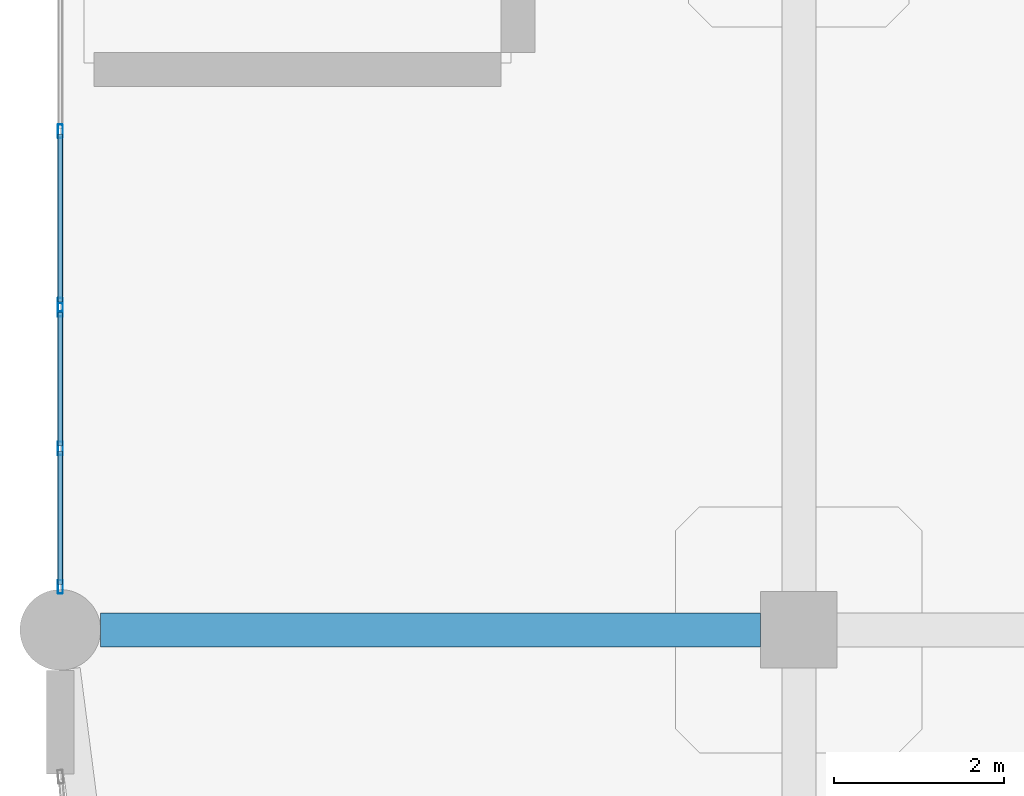
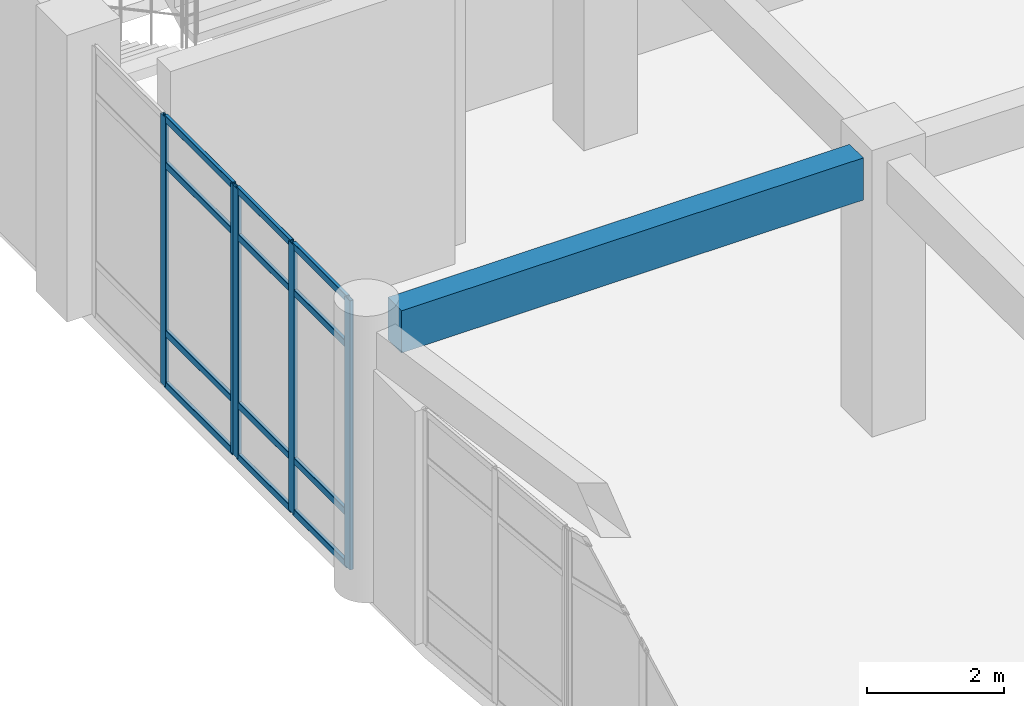
# One storey, part 10 of 120: 17 members, 1 beam, 2 elements without a shape of their own.
"""IFC4 building model written with IfcOpenShell, lengths in metres."""

from ifc_helpers import new_model, si_unit, derived_unit, direction, frame, origin, origin_2d, place, context, subcontext, project, spatial, rectangle, hollow_rectangle, extrude, material, layer, layer_set, material_profile, profile_set, type_object, element, aggregate, save


model = new_model("IFC4")

# Units and contexts
model_context = context("Model", 3, precision=1e-05, world=origin(), true_north=direction((0.0, 1.0)))
body_context = subcontext(model_context, "Body", "Model", "MODEL_VIEW")
ifc_project = project(units=[si_unit("LENGTHUNIT", "METRE"), si_unit("AREAUNIT", "SQUARE_METRE"), si_unit("VOLUMEUNIT", "CUBIC_METRE"), si_unit("PLANEANGLEUNIT", "RADIAN"), si_unit("MASSUNIT", "GRAM", prefix="KILO"), derived_unit("THERMALTRANSMITTANCEUNIT", [(si_unit("MASSUNIT", "GRAM", prefix="KILO"), 1), (si_unit("TIMEUNIT", "SECOND"), -3), (si_unit("THERMODYNAMICTEMPERATUREUNIT", "KELVIN"), -1)])], contexts=[model_context])

# Site, building, storey
site_placement = place(None, origin())
site = spatial("IfcSite", under=ifc_project, at=site_placement, CompositionType="ELEMENT")
building_placement = place(site_placement, origin())
building = spatial("IfcBuilding", under=site, at=building_placement, Name="Qinzheling Arcade Emporium", CompositionType="ELEMENT")
storey_placement = place(building_placement, frame((0.0, 0.0, 11.39990234375)))
storey = spatial("IfcBuildingStorey", under=building, at=storey_placement, Name="L03", CompositionType="ELEMENT", Elevation=11.39990234375)

# Curtain wall, members
ifc_material_1 = material(Name="Anodised aluminium and solar-control double glazing", Category="aluminium")
ifc_layer = layer(ifc_material_1, 0.159912109375, Name="Anodised aluminium and solar-control double glazing", Category="aluminium")
ifc_layer_set = layer_set([ifc_layer], Name="Anodised aluminium and solar-control double glazing")
curtain_wall_type = type_object("IfcCurtainWallType", Name="Arcade Portal Glazed Curtain Wall", PredefinedType="NOTDEFINED", material=ifc_layer_set)
curtain_wall_1_placement = place(storey_placement, origin())
curtain_wall_1 = element("IfcCurtainWall", 1, at=curtain_wall_1_placement, inside=storey, type_object=curtain_wall_type, Name="Curtain Wall CW-L03-163", PredefinedType="NOTDEFINED")
ifc_material_2 = material(Name="Anodised aluminium 6063-T6", Category="aluminium")
ifc_material_profile_1 = material_profile(ifc_material_2, hollow_rectangle(XDim=0.06005859375, YDim=0.159912109375, WallThickness=0.00390625, InnerFilletRadius=0.00390625, OuterFilletRadius=0.008056640625, at=origin_2d()), Name="RHS 160x60x4", Category="aluminium")
ifc_profile_set_1 = profile_set([ifc_material_profile_1], Name="Anodised aluminium 6063-T6")
member_type_1 = type_object("IfcMemberType", Name="Curtain Wall Mullion RHS160x60", PredefinedType="MULLION", material=ifc_profile_set_1)
member_1_placement = place(storey_placement, frame((0.0, 25.70703125, 0.0), z_axis=(0.0, 0.0, 1.0), x_axis=(-1.0, 0.0, 0.0)))
member_1 = element("IfcMember", 2, at=member_1_placement, type_object=member_type_1, Name="CW05 mullion 1", PredefinedType="MULLION", context=body_context, shape_type="SweptSolid", body=[
    extrude(hollow_rectangle(XDim=0.06005859375, YDim=0.159912109375, WallThickness=0.00390625, InnerFilletRadius=0.00390625, OuterFilletRadius=0.008056640625, at=origin_2d()), origin(), (0.0, 0.0, 1.0), 4.7900390625),
])
member_2_placement = place(storey_placement, frame((0.0, 27.33837890625, 0.0), z_axis=(0.0, 0.0, 1.0), x_axis=(-1.0, 0.0, 0.0)))
member_2 = element("IfcMember", 3, at=member_2_placement, type_object=member_type_1, Name="CW05 mullion 2", PredefinedType="MULLION", context=body_context, shape_type="SweptSolid", body=[
    extrude(hollow_rectangle(XDim=0.06005859375, YDim=0.159912109375, WallThickness=0.00390625, InnerFilletRadius=0.00390625, OuterFilletRadius=0.008056640625, at=origin_2d()), origin(), (0.0, 0.0, 1.0), 4.7900390625),
])
member_3_placement = place(storey_placement, frame((0.0, 28.969970703125, 0.0), z_axis=(0.0, 0.0, 1.0), x_axis=(-1.0, 0.0, 0.0)))
member_3 = element("IfcMember", 4, at=member_3_placement, type_object=member_type_1, Name="CW05 mullion 3", PredefinedType="MULLION", context=body_context, shape_type="SweptSolid", body=[
    extrude(hollow_rectangle(XDim=0.06005859375, YDim=0.159912109375, WallThickness=0.00390625, InnerFilletRadius=0.00390625, OuterFilletRadius=0.008056640625, at=origin_2d()), origin(), (0.0, 0.0, 1.0), 4.7900390625),
])

curtain_wall_2_placement = place(storey_placement, origin())
curtain_wall_2 = element("IfcCurtainWall", 5, at=curtain_wall_2_placement, inside=storey, type_object=curtain_wall_type, Name="Curtain Wall CW-L03-164", PredefinedType="NOTDEFINED")
member_4_placement = place(storey_placement, frame((0.0, 29.030029296875, 0.0), z_axis=(0.0, 0.0, 1.0), x_axis=(-1.0, 0.0, 0.0)))
member_4 = element("IfcMember", 6, at=member_4_placement, type_object=member_type_1, Name="CW05 mullion 1", PredefinedType="MULLION", context=body_context, shape_type="SweptSolid", body=[
    extrude(hollow_rectangle(XDim=0.06005859375, YDim=0.159912109375, WallThickness=0.00390625, InnerFilletRadius=0.00390625, OuterFilletRadius=0.008056640625, at=origin_2d()), origin(), (0.0, 0.0, 1.0), 4.7900390625),
])
member_5_placement = place(storey_placement, frame((0.0, 31.073974609375, 0.0), z_axis=(0.0, 0.0, 1.0), x_axis=(-1.0, 0.0, 0.0)))
member_5 = element("IfcMember", 7, at=member_5_placement, type_object=member_type_1, Name="CW05 mullion 2", PredefinedType="MULLION", context=body_context, shape_type="SweptSolid", body=[
    extrude(hollow_rectangle(XDim=0.06005859375, YDim=0.159912109375, WallThickness=0.00390625, InnerFilletRadius=0.00390625, OuterFilletRadius=0.008056640625, at=origin_2d()), origin(), (0.0, 0.0, 1.0), 4.7900390625),
])

# Member
ifc_material_profile_2 = material_profile(ifc_material_2, hollow_rectangle(XDim=0.06005859375, YDim=0.1201171875, WallThickness=0.00390625, InnerFilletRadius=0.00390625, OuterFilletRadius=0.008056640625, at=origin_2d()), Name="RHS 120x60x4", Category="aluminium")
ifc_profile_set_2 = profile_set([ifc_material_profile_2], Name="Anodised aluminium 6063-T6")
member_type_2 = type_object("IfcMemberType", Name="Curtain Wall Transom RHS120x60", PredefinedType="USERDEFINED", material=ifc_profile_set_2)
member_6_placement = place(storey_placement, frame((0.0, 25.737060546875, 0.030029296875), z_axis=(0.0, 1.0, 0.0), x_axis=(-1.0, 0.0, 0.0)))
member_6 = element("IfcMember", 8, at=member_6_placement, type_object=member_type_2, Name="CW05 transom 1.1", ObjectType="TRANSOM", PredefinedType="USERDEFINED", context=body_context, shape_type="SweptSolid", body=[
    extrude(hollow_rectangle(XDim=0.06005859375, YDim=0.1201171875, WallThickness=0.00390625, InnerFilletRadius=0.00390625, OuterFilletRadius=0.008056640625, at=origin_2d()), origin(), (0.0, 0.0, 1.0), 1.571533203125),
])

member_7_placement = place(storey_placement, frame((0.0, 25.737060546875, 0.9501953125), z_axis=(0.0, 1.0, 0.0), x_axis=(-1.0, 0.0, 0.0)))
member_7 = element("IfcMember", 9, at=member_7_placement, type_object=member_type_2, Name="CW05 transom 1.2", ObjectType="TRANSOM", PredefinedType="USERDEFINED", context=body_context, shape_type="SweptSolid", body=[
    extrude(hollow_rectangle(XDim=0.06005859375, YDim=0.1201171875, WallThickness=0.00390625, InnerFilletRadius=0.00390625, OuterFilletRadius=0.008056640625, at=origin_2d()), origin(), (0.0, 0.0, 1.0), 1.571533203125),
])

member_8_placement = place(storey_placement, frame((0.0, 25.737060546875, 3.940185546875), z_axis=(0.0, 1.0, 0.0), x_axis=(-1.0, 0.0, 0.0)))
member_8 = element("IfcMember", 10, at=member_8_placement, type_object=member_type_2, Name="CW05 transom 1.3", ObjectType="TRANSOM", PredefinedType="USERDEFINED", context=body_context, shape_type="SweptSolid", body=[
    extrude(hollow_rectangle(XDim=0.06005859375, YDim=0.1201171875, WallThickness=0.00390625, InnerFilletRadius=0.00390625, OuterFilletRadius=0.008056640625, at=origin_2d()), origin(), (0.0, 0.0, 1.0), 1.571533203125),
])

member_9_placement = place(storey_placement, frame((0.0, 25.737060546875, 4.760009765625), z_axis=(0.0, 1.0, 0.0), x_axis=(-1.0, 0.0, 0.0)))
member_9 = element("IfcMember", 11, at=member_9_placement, type_object=member_type_2, Name="CW05 transom 1.4", ObjectType="TRANSOM", PredefinedType="USERDEFINED", context=body_context, shape_type="SweptSolid", body=[
    extrude(hollow_rectangle(XDim=0.06005859375, YDim=0.1201171875, WallThickness=0.00390625, InnerFilletRadius=0.00390625, OuterFilletRadius=0.008056640625, at=origin_2d()), origin(), (0.0, 0.0, 1.0), 1.571533203125),
])

member_10_placement = place(storey_placement, frame((0.0, 27.368408203125, 0.030029296875), z_axis=(0.0, 1.0, 0.0), x_axis=(-1.0, 0.0, 0.0)))
member_10 = element("IfcMember", 12, at=member_10_placement, type_object=member_type_2, Name="CW05 transom 2.1", ObjectType="TRANSOM", PredefinedType="USERDEFINED", context=body_context, shape_type="SweptSolid", body=[
    extrude(hollow_rectangle(XDim=0.06005859375, YDim=0.1201171875, WallThickness=0.00390625, InnerFilletRadius=0.00390625, OuterFilletRadius=0.008056640625, at=origin_2d()), origin(), (0.0, 0.0, 1.0), 1.571533203125),
])

member_11_placement = place(storey_placement, frame((0.0, 27.368408203125, 0.9501953125), z_axis=(0.0, 1.0, 0.0), x_axis=(-1.0, 0.0, 0.0)))
member_11 = element("IfcMember", 13, at=member_11_placement, type_object=member_type_2, Name="CW05 transom 2.2", ObjectType="TRANSOM", PredefinedType="USERDEFINED", context=body_context, shape_type="SweptSolid", body=[
    extrude(hollow_rectangle(XDim=0.06005859375, YDim=0.1201171875, WallThickness=0.00390625, InnerFilletRadius=0.00390625, OuterFilletRadius=0.008056640625, at=origin_2d()), origin(), (0.0, 0.0, 1.0), 1.571533203125),
])

member_12_placement = place(storey_placement, frame((0.0, 27.368408203125, 3.940185546875), z_axis=(0.0, 1.0, 0.0), x_axis=(-1.0, 0.0, 0.0)))
member_12 = element("IfcMember", 14, at=member_12_placement, type_object=member_type_2, Name="CW05 transom 2.3", ObjectType="TRANSOM", PredefinedType="USERDEFINED", context=body_context, shape_type="SweptSolid", body=[
    extrude(hollow_rectangle(XDim=0.06005859375, YDim=0.1201171875, WallThickness=0.00390625, InnerFilletRadius=0.00390625, OuterFilletRadius=0.008056640625, at=origin_2d()), origin(), (0.0, 0.0, 1.0), 1.571533203125),
])

member_13_placement = place(storey_placement, frame((0.0, 27.368408203125, 4.760009765625), z_axis=(0.0, 1.0, 0.0), x_axis=(-1.0, 0.0, 0.0)))
member_13 = element("IfcMember", 15, at=member_13_placement, type_object=member_type_2, Name="CW05 transom 2.4", ObjectType="TRANSOM", PredefinedType="USERDEFINED", context=body_context, shape_type="SweptSolid", body=[
    extrude(hollow_rectangle(XDim=0.06005859375, YDim=0.1201171875, WallThickness=0.00390625, InnerFilletRadius=0.00390625, OuterFilletRadius=0.008056640625, at=origin_2d()), origin(), (0.0, 0.0, 1.0), 1.571533203125),
])

aggregate(curtain_wall_1, [member_1, member_2, member_3, member_6, member_7, member_8, member_9, member_10, member_11, member_12, member_13])

member_14_placement = place(storey_placement, frame((0.0, 29.06005859375, 0.030029296875), z_axis=(0.0, 1.0, 0.0), x_axis=(-1.0, 0.0, 0.0)))
member_14 = element("IfcMember", 16, at=member_14_placement, type_object=member_type_2, Name="CW05 transom 1.1", ObjectType="TRANSOM", PredefinedType="USERDEFINED", context=body_context, shape_type="SweptSolid", body=[
    extrude(hollow_rectangle(XDim=0.06005859375, YDim=0.1201171875, WallThickness=0.00390625, InnerFilletRadius=0.00390625, OuterFilletRadius=0.008056640625, at=origin_2d()), origin(), (0.0, 0.0, 1.0), 1.98388671875),
])

member_15_placement = place(storey_placement, frame((0.0, 29.06005859375, 0.9501953125), z_axis=(0.0, 1.0, 0.0), x_axis=(-1.0, 0.0, 0.0)))
member_15 = element("IfcMember", 17, at=member_15_placement, type_object=member_type_2, Name="CW05 transom 1.2", ObjectType="TRANSOM", PredefinedType="USERDEFINED", context=body_context, shape_type="SweptSolid", body=[
    extrude(hollow_rectangle(XDim=0.06005859375, YDim=0.1201171875, WallThickness=0.00390625, InnerFilletRadius=0.00390625, OuterFilletRadius=0.008056640625, at=origin_2d()), origin(), (0.0, 0.0, 1.0), 1.98388671875),
])

member_16_placement = place(storey_placement, frame((0.0, 29.06005859375, 3.940185546875), z_axis=(0.0, 1.0, 0.0), x_axis=(-1.0, 0.0, 0.0)))
member_16 = element("IfcMember", 18, at=member_16_placement, type_object=member_type_2, Name="CW05 transom 1.3", ObjectType="TRANSOM", PredefinedType="USERDEFINED", context=body_context, shape_type="SweptSolid", body=[
    extrude(hollow_rectangle(XDim=0.06005859375, YDim=0.1201171875, WallThickness=0.00390625, InnerFilletRadius=0.00390625, OuterFilletRadius=0.008056640625, at=origin_2d()), origin(), (0.0, 0.0, 1.0), 1.98388671875),
])

member_17_placement = place(storey_placement, frame((0.0, 29.06005859375, 4.760009765625), z_axis=(0.0, 1.0, 0.0), x_axis=(-1.0, 0.0, 0.0)))
member_17 = element("IfcMember", 19, at=member_17_placement, type_object=member_type_2, Name="CW05 transom 1.4", ObjectType="TRANSOM", PredefinedType="USERDEFINED", context=body_context, shape_type="SweptSolid", body=[
    extrude(hollow_rectangle(XDim=0.06005859375, YDim=0.1201171875, WallThickness=0.00390625, InnerFilletRadius=0.00390625, OuterFilletRadius=0.008056640625, at=origin_2d()), origin(), (0.0, 0.0, 1.0), 1.98388671875),
])

aggregate(curtain_wall_2, [member_4, member_5, member_14, member_15, member_16, member_17])

# Beam
ifc_material_3 = material(Name="Concrete C40", Category="concrete")
ifc_material_profile_3 = material_profile(ifc_material_3, rectangle(XDim=0.39990234375, YDim=0.75, at=origin_2d()), Name="RC 400x750", Category="concrete")
ifc_profile_set_3 = profile_set([ifc_material_profile_3], Name="Concrete C40")
beam_type = type_object("IfcBeamType", Name="RC Interior Tie Beam 400x750 C40", PredefinedType="BEAM", material=ifc_profile_set_3)
beam_placement = place(storey_placement, frame((0.47509765625, 25.199951171875, 4.445068359375), z_axis=(1.0, 0.0, 0.0), x_axis=(0.0, 1.0, 0.0)))
element("IfcBeam", 20, at=beam_placement, inside=storey, type_object=beam_type, Name="Beam BM-L03-X-D-1", PredefinedType="BEAM", context=body_context, shape_type="SweptSolid", body=[
    extrude(rectangle(XDim=0.39990234375, YDim=0.75, at=origin_2d()), origin(), (0.0, 0.0, 1.0), 7.77490234375),
])

save(model, "model.ifc")
